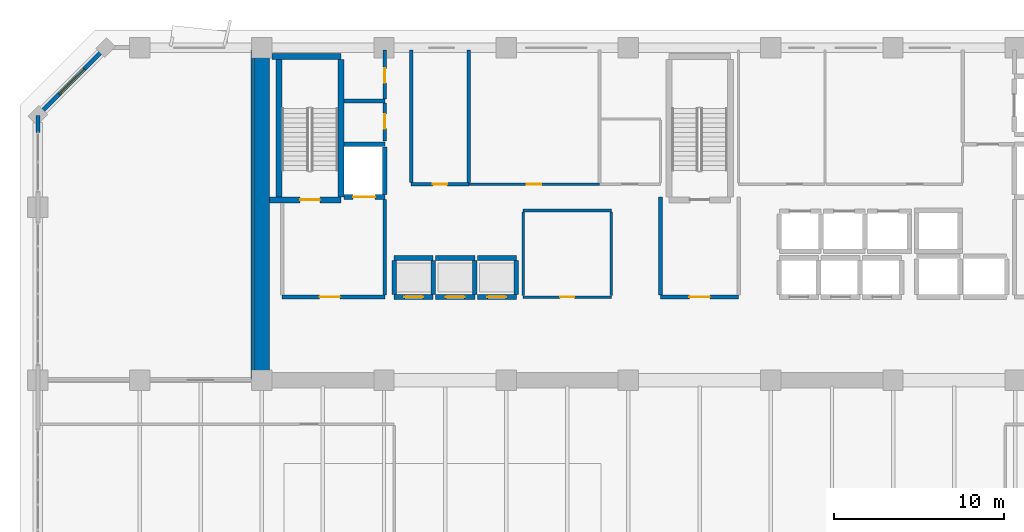
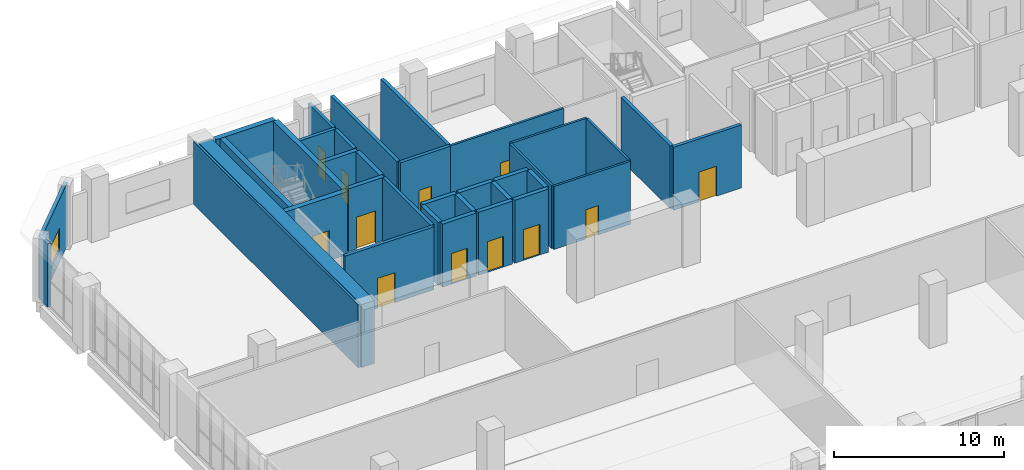
# One storey, part 30 of 37: 36 walls, 12 doors, 1 window, 13 openings.
"""IFC4 building model written with IfcOpenShell, lengths in metres."""

import ifcopenshell
import ifcopenshell.guid

model = None  # the IFC model being written
_history = None  # IfcOwnerHistory: only IFC2X3 demands one
_inside = {}  # id of a spatial element -> (the spatial element, [elements in it])
_under = {}  # id of a project, library or spatial element -> (it, [spatial elements below it])
_declared = {}  # id of a project -> (the project, [libraries it declares])
_typed = {}  # id of a type object -> (the type object, [elements of that type])
_made_of = {}  # id of a material, layer set ... -> (it, [elements and type objects made of it])


def new_model(schema):
    """Start an empty IFC model of exactly this schema.

    Asked for "IFC4X3", IfcOpenShell would pick the latest addendum, in which some entities
    have other attributes; the version numbers below select the first issue.
    IFC2X3 requires an IfcOwnerHistory on every rooted entity: one is made here for all.
    """
    global model, _history
    if schema == "IFC4X3":
        model = ifcopenshell.file(schema_version=(4, 3, 0, 0))
    else:
        model = ifcopenshell.file(schema=schema)
    _inside.clear()
    _under.clear()
    _declared.clear()
    _typed.clear()
    _made_of.clear()
    _history = None
    if model.schema == "IFC2X3":
        org = make("IfcOrganization", Name="unknown")
        user = make(
            "IfcPersonAndOrganization",
            ThePerson=make("IfcPerson", FamilyName="unknown"),
            TheOrganization=org,
        )
        app = make(
            "IfcApplication",
            ApplicationDeveloper=org,
            Version="unknown",
            ApplicationFullName="unknown",
            ApplicationIdentifier="unknown",
        )
        _history = make(
            "IfcOwnerHistory",
            OwningUser=user,
            OwningApplication=app,
            ChangeAction="ADDED",
            CreationDate=0,
        )
    return model


def make(cls, **values):
    """One entity of the class cls with the attributes given. An attribute that is None is left unset."""
    return model.create_entity(
        cls, **{name: value for name, value in values.items() if value is not None}
    )


def rooted(cls, **values):
    """An entity with a GlobalId (a new one), such as an element, a storey or a relation."""
    return make(cls, GlobalId=ifcopenshell.guid.new(), OwnerHistory=_history, **values)


def si_unit(unit_type, name, prefix=None):
    """IfcSIUnit, for example si_unit("LENGTHUNIT", "METRE", prefix="MILLI")."""
    return make("IfcSIUnit", UnitType=unit_type, Prefix=prefix, Name=name)


def assignment(units):
    """IfcUnitAssignment: the units of a project."""
    return None if units is None else make("IfcUnitAssignment", Units=units)


def point(xyz):
    """IfcCartesianPoint."""
    return None if xyz is None else make("IfcCartesianPoint", Coordinates=xyz)


def direction(xyz):
    """IfcDirection."""
    return None if xyz is None else make("IfcDirection", DirectionRatios=xyz)


def frame(location, z_axis=None, x_axis=None):
    """IfcAxis2Placement3D, a coordinate frame: its origin and axes. An axis left out is left unset."""
    return make(
        "IfcAxis2Placement3D",
        Location=point(location),
        Axis=direction(z_axis),
        RefDirection=direction(x_axis),
    )


def frame_2d(location, x_axis=None):
    """IfcAxis2Placement2D, a coordinate frame in the plane: its origin and x axis."""
    return make(
        "IfcAxis2Placement2D", Location=point(location), RefDirection=direction(x_axis)
    )


def origin():
    """The frame at (0, 0, 0) with its axes left unset."""
    return frame((0.0, 0.0, 0.0))


def place(relative_to, where):
    """IfcLocalPlacement: puts the frame where relative to a parent placement (None: the world)."""
    return make(
        "IfcLocalPlacement", PlacementRelTo=relative_to, RelativePlacement=where
    )


def context(
    kind, dimensions, precision=None, world=None, true_north=None, identifier=None
):
    """IfcGeometricRepresentationContext, for example the 3D "Model" context."""
    return make(
        "IfcGeometricRepresentationContext",
        ContextIdentifier=identifier,
        ContextType=kind,
        CoordinateSpaceDimension=dimensions,
        Precision=precision,
        WorldCoordinateSystem=world,
        TrueNorth=true_north,
    )


def subcontext(parent, identifier, kind, view, scale=None):
    """IfcGeometricRepresentationSubContext, for example "Body" below "Model"."""
    return make(
        "IfcGeometricRepresentationSubContext",
        ContextIdentifier=identifier,
        ContextType=kind,
        ParentContext=parent,
        TargetScale=scale,
        TargetView=view,
    )


def project(units=None, contexts=None):
    """IfcProject with its units and contexts."""
    return rooted(
        "IfcProject",
        Name="project",
        RepresentationContexts=contexts,
        UnitsInContext=assignment(units),
    )


def spatial(cls, under=None, at=None, **own):
    """A site, building, storey or space (cls), placed at a placement, below another one or the project."""
    s = rooted(cls, ObjectPlacement=at, **own)
    if under is not None:
        _under.setdefault(under.id(), (under, []))[1].append(s)
    return s


def profile(cls, at=None, kind="AREA", **sizes):
    """A parametric profile (cls). Its sizes go by their IFC names, for example OverallWidth=200.0."""
    return make(cls, ProfileType=kind, Position=at, **sizes)


def rectangle(**sizes):
    """IfcRectangleProfileDef."""
    return profile("IfcRectangleProfileDef", **sizes)


def extrude(swept, where, along, depth):
    """IfcExtrudedAreaSolid: the profile swept, set in the frame where, extruded along a direction by depth."""
    return make(
        "IfcExtrudedAreaSolid",
        SweptArea=swept,
        Position=where,
        ExtrudedDirection=direction(along),
        Depth=depth,
    )


def shape(context_of_items, identifier, shape_type, items):
    """IfcShapeRepresentation: the items that make up one representation, for example the "Body"."""
    return make(
        "IfcShapeRepresentation",
        ContextOfItems=context_of_items,
        RepresentationIdentifier=identifier,
        RepresentationType=shape_type,
        Items=items,
    )


def material(Name=None, Category=None):
    """IfcMaterial."""
    return make("IfcMaterial", Name=Name, Category=Category)


def layer(
    of_material, thickness, ventilated=None, Name=None, Category=None, Priority=None
):
    """IfcMaterialLayer: one layer of a wall or slab, of a material (None: an air gap)."""
    return make(
        "IfcMaterialLayer",
        Material=of_material,
        LayerThickness=thickness,
        IsVentilated=ventilated,
        Name=Name,
        Category=Category,
        Priority=Priority,
    )


def layer_set(layers, Name=None):
    """IfcMaterialLayerSet."""
    return make("IfcMaterialLayerSet", MaterialLayers=layers, LayerSetName=Name)


def made_of(thing, what):
    """Note that an element or type object is made of a material, layer set ...; save() writes the relation."""
    if what is not None:
        _made_of.setdefault(what.id(), (what, []))[1].append(thing)
    return thing


def type_object(cls, material=None, **own):
    """A type object (cls), such as IfcWallType, which elements share."""
    return made_of(rooted(cls, **own), material)


def element(
    cls,
    number,
    at=None,
    inside=None,
    cuts=None,
    type_object=None,
    material=None,
    context=None,
    identifier="Body",
    shape_type=None,
    held_by="IfcProductDefinitionShape",
    body=None,
    shapes=None,
    **own,
):
    """One element of the class cls, such as IfcWall. Its Tag is "e" and its number.

    at: its placement. inside: the storey or other place that contains it. cuts: it is an
    opening in that element (IfcRelVoidsElement). A single representation is given by context,
    identifier, shape_type and body (its items); several are given by shapes. held_by: the class
    of the entity that holds the representations. save() writes the other relations.
    """
    e = rooted(cls, Tag="e%d" % number, ObjectPlacement=at, **own)
    if body is not None:
        shapes = [shape(context, identifier, shape_type, body)]
    if shapes is not None:
        e.Representation = make(held_by, Representations=shapes)
    if inside is not None:
        _inside.setdefault(inside.id(), (inside, []))[1].append(e)
    if cuts is not None:
        rooted(
            "IfcRelVoidsElement", RelatingBuildingElement=cuts, RelatedOpeningElement=e
        )
    if type_object is not None:
        _typed.setdefault(type_object.id(), (type_object, []))[1].append(e)
    return made_of(e, material)


def fill(opening, filler):
    """IfcRelFillsElement: the door or window that sits in an opening."""
    return rooted(
        "IfcRelFillsElement",
        RelatingOpeningElement=opening,
        RelatedBuildingElement=filler,
    )


def aggregate(whole, parts):
    """IfcRelAggregates: a whole, such as a stair, and the parts it consists of."""
    return rooted("IfcRelAggregates", RelatingObject=whole, RelatedObjects=parts)


def save(model, path):
    """Write the relations noted so far, then the file.

    IfcRelAggregates (storeys below a building ...), IfcRelContainedInSpatialStructure (elements
    in a storey), IfcRelDefinesByType, IfcRelAssociatesMaterial and IfcRelDeclares: one each for
    every whole, place, type object, material and project.
    """
    for whole, parts in _under.values():
        aggregate(whole, parts)
    for where, things in _inside.values():
        rooted(
            "IfcRelContainedInSpatialStructure",
            RelatedElements=things,
            RelatingStructure=where,
        )
    for kind, things in _typed.values():
        rooted("IfcRelDefinesByType", RelatedObjects=things, RelatingType=kind)
    for what, things in _made_of.values():
        rooted("IfcRelAssociatesMaterial", RelatedObjects=things, RelatingMaterial=what)
    for by, libraries in _declared.values():
        rooted("IfcRelDeclares", RelatingContext=by, RelatedDefinitions=libraries)
    model.write(path)


model = new_model("IFC4")

# Units and contexts
model_context = context("Model", 3, precision=1e-05, world=origin(), true_north=direction((0.0, 1.0)))
body_context = subcontext(model_context, "Body", "Model", "MODEL_VIEW")
ifc_project = project(units=[si_unit("LENGTHUNIT", "METRE"), si_unit("AREAUNIT", "SQUARE_METRE"), si_unit("VOLUMEUNIT", "CUBIC_METRE"), si_unit("PLANEANGLEUNIT", "RADIAN"), si_unit("MASSUNIT", "GRAM", prefix="KILO")], contexts=[model_context])

# Site, building, storey
site_placement = place(None, origin())
site = spatial("IfcSite", under=ifc_project, at=site_placement, CompositionType="ELEMENT")
building_placement = place(site_placement, origin())
building = spatial("IfcBuilding", under=site, at=building_placement, Name="Kaelvorn Grand Hotel", CompositionType="ELEMENT")
storey_placement = place(building_placement, frame((0.0, 0.0, 224.35009765625)))
storey = spatial("IfcBuildingStorey", under=building, at=storey_placement, Name="L55", CompositionType="ELEMENT", Elevation=224.35009765625)

# Wall
ifc_material_1 = material(Name="Concrete C60/75", Category="concrete")
ifc_layer_1 = layer(ifc_material_1, 0.89990234375)
ifc_layer_set_1 = layer_set([ifc_layer_1], Name="Concrete C60/75")
wall_type_1 = type_object("IfcWallType", Name="WL-CORE-900-C60", PredefinedType="SHEAR", material=ifc_layer_set_1)
wall_1_placement = place(storey_placement, frame((16.199951171875, 29.39990234375, 0.0), z_axis=(0.0, 0.0, 1.0), x_axis=(0.0, 1.0, 0.0)))
element("IfcWall", 1, at=wall_1_placement, inside=storey, type_object=wall_type_1, Name="L55 Rear-Core West Shear Wall", PredefinedType="SHEAR", context=body_context, shape_type="SweptSolid", body=[
    extrude(rectangle(XDim=19.2001953125, YDim=0.89990234375, at=frame_2d((9.60009765625, 0.0))), origin(), (0.0, 0.0, 1.0), 4.52001953125),
])

# Wall, opening, window
ifc_material_2 = material(Name="Concrete C40/50", Category="concrete")
ifc_layer_2 = layer(ifc_material_2, 0.239990234375)
ifc_layer_set_2 = layer_set([ifc_layer_2], Name="Concrete C40/50")
wall_type_2 = type_object("IfcWallType", Name="WL-EXT-240-C40", PredefinedType="SOLIDWALL", material=ifc_layer_set_2)
wall_2_placement = place(storey_placement, frame((7.0, 49.0, 0.0), z_axis=(0.0, 0.0, 1.0), x_axis=(-0.707106781187, -0.707106781187, 0.0)))
wall_2 = element("IfcWall", 2, at=wall_2_placement, inside=storey, type_object=wall_type_2, Name="L55 Exterior Architectural Concrete Wall 06", PredefinedType="SOLIDWALL", context=body_context, shape_type="SweptSolid", body=[
    extrude(rectangle(XDim=5.65673828125, YDim=0.239990234375, at=frame_2d((2.828369140625, 0.0))), origin(), (0.0, 0.0, 1.0), 4.52001953125),
])
opening_1_placement = place(wall_2_placement, frame((1.7783203125, 0.0, 0.85009765625)))
opening_1 = element("IfcOpeningElement", 3, at=opening_1_placement, cuts=wall_2, Name="Opening W7", PredefinedType="OPENING", context=body_context, shape_type="SweptSolid", body=[
    extrude(rectangle(XDim=2.10009765625, YDim=1.60009765625, at=frame_2d((1.050048828125, 0.800048828125))), frame((0.0, 0.1298828125, 0.0), z_axis=(0.0, -1.0, 0.0), x_axis=(1.0, 0.0, 0.0)), (0.0, 0.0, 1.0), 0.260009765625),
])
ifc_material_3 = material(Name="Laminated Low-E Glass", Category="glass")
window_type = type_object("IfcWindowType", Name="WIN-CHM-2100x1600", PartitioningType="SINGLE_PANEL", PredefinedType="WINDOW", material=ifc_material_3)
window_placement = place(opening_1_placement, origin())
window = element("IfcWindow", 4, at=window_placement, inside=storey, type_object=window_type, Name="L55 Chamfered 45-Degree Corner Window NW", OverallHeight=1.60009765625, OverallWidth=2.10009765625, PartitioningType="SINGLE_PANEL", PredefinedType="WINDOW", context=body_context, shape_type="SweptSolid", body=[
    extrude(rectangle(XDim=2.10009765625, YDim=1.60009765625, at=frame_2d((1.050048828125, 0.800048828125))), frame((0.0, 0.030029296875, 0.0), z_axis=(0.0, -1.0, 0.0), x_axis=(1.0, 0.0, 0.0)), (0.0, 0.0, 1.0), 0.06005859375),
])
fill(opening_1, window)

# Wall
wall_3_placement = place(storey_placement, frame((3.0, 45.0, 0.0), z_axis=(0.0, 0.0, 1.0), x_axis=(0.0, -1.0, 0.0)))
element("IfcWall", 5, at=wall_3_placement, inside=storey, type_object=wall_type_2, Name="L55 Exterior Architectural Concrete Wall 07 Pier 1", PredefinedType="SOLIDWALL", context=body_context, shape_type="SweptSolid", body=[
    extrude(rectangle(XDim=1.0048828125, YDim=0.239990234375, at=frame_2d((0.50244140625, 0.0))), origin(), (0.0, 0.0, 1.0), 4.52001953125),
])

# Wall, opening, door
ifc_material_4 = material(Name="Acoustic Gypsum & Stud Partition")
ifc_layer_3 = layer(ifc_material_4, 0.14990234375)
ifc_layer_set_3 = layer_set([ifc_layer_3], Name="Acoustic Gypsum & Stud Partition")
wall_type_3 = type_object("IfcWallType", Name="WL-PART-150-EI60", PredefinedType="PARTITIONING", material=ifc_layer_set_3)
wall_4_placement = place(storey_placement, frame((31.60009765625, 34.300048828125, 0.0), z_axis=(0.0, 0.0, 1.0), x_axis=(1.0, 0.0, 0.0)))
wall_4 = element("IfcWall", 6, at=wall_4_placement, inside=storey, type_object=wall_type_3, Name="L55 Core Telecoms & BMS Server Room S Partition", PredefinedType="PARTITIONING", context=body_context, shape_type="SweptSolid", body=[
    extrude(rectangle(XDim=5.199951171875, YDim=0.14990234375, at=frame_2d((2.60009765625, 0.0))), origin(), (0.0, 0.0, 1.0), 4.52001953125),
])
opening_2_placement = place(wall_4_placement, frame((2.175048828125, 0.0, 0.0)))
opening_2 = element("IfcOpeningElement", 7, at=opening_2_placement, cuts=wall_4, Name="Opening DI7", PredefinedType="OPENING", context=body_context, shape_type="SweptSolid", body=[
    extrude(rectangle(XDim=0.85009765625, YDim=2.10009765625, at=frame_2d((0.425048828125, 1.050048828125))), frame((0.0, 0.0849609375, 0.0), z_axis=(0.0, -1.0, 0.0), x_axis=(1.0, 0.0, 0.0)), (0.0, 0.0, 1.0), 0.169921875),
])
ifc_material_5 = material(Name="Powder-Coated Steel Leaf", Category="steel")
door_type_1 = type_object("IfcDoorType", Name="DR-INT-RISER-850x2100", OperationType="NOTDEFINED", PredefinedType="DOOR", material=ifc_material_5)
door_1_placement = place(opening_2_placement, origin())
door_1 = element("IfcDoor", 8, at=door_1_placement, inside=storey, type_object=door_type_1, Name="L55 Core Telecoms & BMS Server Room Door", OperationType="SINGLE_SWING_LEFT", OverallHeight=2.10009765625, OverallWidth=0.85009765625, PredefinedType="DOOR", context=body_context, shape_type="SweptSolid", body=[
    extrude(rectangle(XDim=0.85009765625, YDim=2.10009765625, at=frame_2d((0.425048828125, 1.050048828125))), frame((0.0, 0.02490234375, 0.0), z_axis=(0.0, -1.0, 0.0), x_axis=(1.0, 0.0, 0.0)), (0.0, 0.0, 1.0), 0.050048828125),
])
fill(opening_2, door_1)

# Walls
wall_5_placement = place(storey_placement, frame((31.60009765625, 39.39990234375, 0.0), z_axis=(0.0, 0.0, 1.0), x_axis=(1.0, 0.0, 0.0)))
element("IfcWall", 9, at=wall_5_placement, inside=storey, type_object=wall_type_3, Name="L55 Core Telecoms & BMS Server Room N Partition", PredefinedType="PARTITIONING", context=body_context, shape_type="SweptSolid", body=[
    extrude(rectangle(XDim=5.199951171875, YDim=0.14990234375, at=frame_2d((2.60009765625, 0.0))), origin(), (0.0, 0.0, 1.0), 4.52001953125),
])
for number, where, z_axis, x_axis, name in (
    (10, (31.60009765625, 34.3798828125, 0.0), (0.0, 0.0, 1.0), (0.0, 1.0, 0.0), "L55 Core Telecoms & BMS Server Room W Partition"),
    (11, (36.800048828125, 34.3798828125, 0.0), (0.0, 0.0, 1.0), (0.0, 1.0, 0.0), "L55 Core Telecoms & BMS Server Room E Partition"),
):
    element("IfcWall", number, at=place(storey_placement, frame(where, z_axis=z_axis, x_axis=x_axis)), inside=storey, type_object=wall_type_3, Name=name, PredefinedType="PARTITIONING", context=body_context, shape_type="SweptSolid", body=[
        extrude(rectangle(XDim=4.940185546875, YDim=0.14990234375, at=frame_2d((2.47021484375, 0.0))), origin(), (0.0, 0.0, 1.0), 4.52001953125),
    ])

# Wall, opening, door
wall_6_placement = place(storey_placement, frame((28.409912109375, 40.949951171875, 0.0), z_axis=(0.0, 0.0, 1.0), x_axis=(1.0, 0.0, 0.0)))
wall_6 = element("IfcWall", 12, at=wall_6_placement, inside=storey, type_object=wall_type_3, Name="L55 Central BOH Supply Store S Partition", PredefinedType="PARTITIONING", context=body_context, shape_type="SweptSolid", body=[
    extrude(rectangle(XDim=7.690185546875, YDim=0.14990234375, at=frame_2d((3.84521484375, 0.0))), origin(), (0.0, 0.0, 1.0), 4.52001953125),
])
opening_3_placement = place(wall_6_placement, frame((3.4150390625, 0.0, 0.0)))
opening_3 = element("IfcOpeningElement", 13, at=opening_3_placement, cuts=wall_6, Name="Opening DI7", PredefinedType="OPENING", context=body_context, shape_type="SweptSolid", body=[
    extrude(rectangle(XDim=0.85009765625, YDim=2.10009765625, at=frame_2d((0.425048828125, 1.050048828125))), frame((0.0, 0.0849609375, 0.0), z_axis=(0.0, -1.0, 0.0), x_axis=(1.0, 0.0, 0.0)), (0.0, 0.0, 1.0), 0.169921875),
])
door_2_placement = place(opening_3_placement, origin())
door_2 = element("IfcDoor", 14, at=door_2_placement, inside=storey, type_object=door_type_1, Name="L55 Central BOH Supply Store Door", OperationType="SINGLE_SWING_LEFT", OverallHeight=2.10009765625, OverallWidth=0.85009765625, PredefinedType="DOOR", context=body_context, shape_type="SweptSolid", body=[
    extrude(rectangle(XDim=0.85009765625, YDim=2.10009765625, at=frame_2d((0.425048828125, 1.050048828125))), frame((0.0, 0.02490234375, 0.0), z_axis=(0.0, -1.0, 0.0), x_axis=(1.0, 0.0, 0.0)), (0.0, 0.0, 1.0), 0.050048828125),
])
fill(opening_3, door_2)

# Wall
wall_7_placement = place(storey_placement, frame((15.64990234375, 29.47998046875, 0.0), z_axis=(0.0, 0.0, 1.0), x_axis=(0.0, 1.0, 0.0)))
element("IfcWall", 15, at=wall_7_placement, inside=storey, type_object=wall_type_3, Name="L55 Club Business Library E Partition", PredefinedType="PARTITIONING", context=body_context, shape_type="SweptSolid", body=[
    extrude(rectangle(XDim=19.3701171875, YDim=0.14990234375, at=frame_2d((9.68505859375, 0.0))), origin(), (0.0, 0.0, 1.0), 4.52001953125),
])

# Wall, opening, door
ifc_layer_4 = layer(ifc_material_2, 0.219970703125)
ifc_layer_set_4 = layer_set([ifc_layer_4], Name="Concrete C40/50")
wall_type_4 = type_object("IfcWallType", Name="WL-PART-220-EI120", PredefinedType="PARTITIONING", material=ifc_layer_set_4)
wall_8_placement = place(storey_placement, frame((17.39990234375, 34.300048828125, 0.0), z_axis=(0.0, 0.0, 1.0), x_axis=(1.0, 0.0, 0.0)))
wall_8 = element("IfcWall", 16, at=wall_8_placement, inside=storey, type_object=wall_type_4, Name="L55 Firefighting Lift Lobby 1 S Partition", PredefinedType="PARTITIONING", context=body_context, shape_type="SweptSolid", body=[
    extrude(rectangle(XDim=6.050048828125, YDim=0.219970703125, at=frame_2d((3.02490234375, 0.0))), origin(), (0.0, 0.0, 1.0), 4.52001953125),
])
opening_4_placement = place(wall_8_placement, frame((2.199951171875, 0.0, 0.0)))
opening_4 = element("IfcOpeningElement", 17, at=opening_4_placement, cuts=wall_8, Name="Opening DI2", PredefinedType="OPENING", context=body_context, shape_type="SweptSolid", body=[
    extrude(rectangle(XDim=1.199951171875, YDim=2.14990234375, at=frame_2d((0.60009765625, 1.074951171875))), frame((0.0, 0.1201171875, 0.0), z_axis=(0.0, -1.0, 0.0), x_axis=(1.0, 0.0, 0.0)), (0.0, 0.0, 1.0), 0.239990234375),
])
ifc_material_6 = material(Name="Timber Veneer Fire Leaf", Category="wood")
door_type_2 = type_object("IfcDoorType", Name="DR-INT-FFLOB-1200x2150", OperationType="NOTDEFINED", PredefinedType="DOOR", material=ifc_material_6)
door_3_placement = place(opening_4_placement, origin())
door_3 = element("IfcDoor", 18, at=door_3_placement, inside=storey, type_object=door_type_2, Name="L55 Firefighting Lift Lobby 1 Door", OperationType="SINGLE_SWING_LEFT", OverallHeight=2.14990234375, OverallWidth=1.199951171875, PredefinedType="DOOR", context=body_context, shape_type="SweptSolid", body=[
    extrude(rectangle(XDim=1.199951171875, YDim=2.14990234375, at=frame_2d((0.60009765625, 1.074951171875))), frame((0.0, 0.02490234375, 0.0), z_axis=(0.0, -1.0, 0.0), x_axis=(1.0, 0.0, 0.0)), (0.0, 0.0, 1.0), 0.050048828125),
])
fill(opening_4, door_3)

# Wall
wall_9_placement = place(storey_placement, frame((23.449951171875, 34.4150390625, 0.0), z_axis=(0.0, 0.0, 1.0), x_axis=(0.0, 1.0, 0.0)))
element("IfcWall", 19, at=wall_9_placement, inside=storey, type_object=wall_type_4, Name="L55 Firefighting Lift Lobby 1 E Partition", PredefinedType="PARTITIONING", context=body_context, shape_type="SweptSolid", body=[
    extrude(rectangle(XDim=5.639892578125, YDim=0.219970703125, at=frame_2d((2.81982421875, 0.0))), origin(), (0.0, 0.0, 1.0), 4.52001953125),
])

# Wall, opening, door
wall_10_placement = place(storey_placement, frame((39.699951171875, 34.300048828125, 0.0), z_axis=(0.0, 0.0, 1.0), x_axis=(1.0, 0.0, 0.0)))
wall_10 = element("IfcWall", 20, at=wall_10_placement, inside=storey, type_object=wall_type_4, Name="L55 Central Stair Escape Vestibule S Partition", PredefinedType="PARTITIONING", context=body_context, shape_type="SweptSolid", body=[
    extrude(rectangle(XDim=4.60009765625, YDim=0.219970703125, at=frame_2d((2.300048828125, 0.0))), origin(), (0.0, 0.0, 1.0), 4.52001953125),
])
opening_5_placement = place(wall_10_placement, frame((1.699951171875, 0.0, 0.0)))
opening_5 = element("IfcOpeningElement", 21, at=opening_5_placement, cuts=wall_10, Name="Opening DI2", PredefinedType="OPENING", context=body_context, shape_type="SweptSolid", body=[
    extrude(rectangle(XDim=1.199951171875, YDim=2.14990234375, at=frame_2d((0.60009765625, 1.074951171875))), frame((0.0, 0.1201171875, 0.0), z_axis=(0.0, -1.0, 0.0), x_axis=(1.0, 0.0, 0.0)), (0.0, 0.0, 1.0), 0.239990234375),
])
door_4_placement = place(opening_5_placement, origin())
door_4 = element("IfcDoor", 22, at=door_4_placement, inside=storey, type_object=door_type_2, Name="L55 Central Stair Escape Vestibule Door", OperationType="SINGLE_SWING_LEFT", OverallHeight=2.14990234375, OverallWidth=1.199951171875, PredefinedType="DOOR", context=body_context, shape_type="SweptSolid", body=[
    extrude(rectangle(XDim=1.199951171875, YDim=2.14990234375, at=frame_2d((0.60009765625, 1.074951171875))), frame((0.0, 0.02490234375, 0.0), z_axis=(0.0, -1.0, 0.0), x_axis=(1.0, 0.0, 0.0)), (0.0, 0.0, 1.0), 0.050048828125),
])
fill(opening_5, door_4)

# Walls
wall_11_placement = place(storey_placement, frame((39.699951171875, 34.4150390625, 0.0), z_axis=(0.0, 0.0, 1.0), x_axis=(0.0, 1.0, 0.0)))
element("IfcWall", 23, at=wall_11_placement, inside=storey, type_object=wall_type_4, Name="L55 Central Stair Escape Vestibule W Partition", PredefinedType="PARTITIONING", context=body_context, shape_type="SweptSolid", body=[
    extrude(rectangle(XDim=5.784912109375, YDim=0.219970703125, at=frame_2d((2.892578125, 0.0))), origin(), (0.0, 0.0, 1.0), 4.52001953125),
])
wall_12_placement = place(storey_placement, frame((21.034912109375, 45.85009765625, 0.0), z_axis=(0.0, 0.0, 1.0), x_axis=(1.0, 0.0, 0.0)))
element("IfcWall", 24, at=wall_12_placement, inside=storey, type_object=wall_type_4, Name="L55 Wet Fire & Plumbing Riser Shaft N Partition", PredefinedType="PARTITIONING", context=body_context, shape_type="SweptSolid", body=[
    extrude(rectangle(XDim=2.4150390625, YDim=0.219970703125, at=frame_2d((1.20751953125, 0.0))), origin(), (0.0, 0.0, 1.0), 4.52001953125),
])

# Wall, opening, door
wall_13_placement = place(storey_placement, frame((23.449951171875, 43.5, 0.0), z_axis=(0.0, 0.0, 1.0), x_axis=(0.0, 1.0, 0.0)))
wall_13 = element("IfcWall", 25, at=wall_13_placement, inside=storey, type_object=wall_type_4, Name="L55 Wet Fire & Plumbing Riser Shaft E Partition", PredefinedType="PARTITIONING", context=body_context, shape_type="SweptSolid", body=[
    extrude(rectangle(XDim=2.235107421875, YDim=0.219970703125, at=frame_2d((1.11767578125, 0.0))), origin(), (0.0, 0.0, 1.0), 4.52001953125),
])
opening_6_placement = place(wall_13_placement, frame((0.72509765625, 0.0, 0.0)))
opening_6 = element("IfcOpeningElement", 26, at=opening_6_placement, cuts=wall_13, Name="Opening DI7", PredefinedType="OPENING", context=body_context, shape_type="SweptSolid", body=[
    extrude(rectangle(XDim=0.85009765625, YDim=2.10009765625, at=frame_2d((0.425048828125, 1.050048828125))), frame((0.0, 0.1201171875, 0.0), z_axis=(0.0, -1.0, 0.0), x_axis=(1.0, 0.0, 0.0)), (0.0, 0.0, 1.0), 0.239990234375),
])
door_5_placement = place(opening_6_placement, origin())
door_5 = element("IfcDoor", 27, at=door_5_placement, inside=storey, type_object=door_type_1, Name="L55 Wet Fire & Plumbing Riser Shaft Door", OperationType="SINGLE_SWING_LEFT", OverallHeight=2.10009765625, OverallWidth=0.85009765625, PredefinedType="DOOR", context=body_context, shape_type="SweptSolid", body=[
    extrude(rectangle(XDim=0.85009765625, YDim=2.10009765625, at=frame_2d((0.425048828125, 1.050048828125))), frame((0.0, 0.02490234375, 0.0), z_axis=(0.0, -1.0, 0.0), x_axis=(1.0, 0.0, 0.0)), (0.0, 0.0, 1.0), 0.050048828125),
])
fill(opening_6, door_5)

wall_14_placement = place(storey_placement, frame((23.449951171875, 45.965087890625, 0.0), z_axis=(0.0, 0.0, 1.0), x_axis=(0.0, 1.0, 0.0)))
wall_14 = element("IfcWall", 28, at=wall_14_placement, inside=storey, type_object=wall_type_4, Name="L55 HV Electrical & Smoke Riser E Partition", PredefinedType="PARTITIONING", context=body_context, shape_type="SweptSolid", body=[
    extrude(rectangle(XDim=2.885009765625, YDim=0.219970703125, at=frame_2d((1.4423828125, 0.0))), origin(), (0.0, 0.0, 1.0), 4.52001953125),
])
opening_7_placement = place(wall_14_placement, frame((0.9599609375, 0.0, 0.0)))
opening_7 = element("IfcOpeningElement", 29, at=opening_7_placement, cuts=wall_14, Name="Opening DI7", PredefinedType="OPENING", context=body_context, shape_type="SweptSolid", body=[
    extrude(rectangle(XDim=0.85009765625, YDim=2.10009765625, at=frame_2d((0.425048828125, 1.050048828125))), frame((0.0, 0.1201171875, 0.0), z_axis=(0.0, -1.0, 0.0), x_axis=(1.0, 0.0, 0.0)), (0.0, 0.0, 1.0), 0.239990234375),
])
door_6_placement = place(opening_7_placement, origin())
door_6 = element("IfcDoor", 30, at=door_6_placement, inside=storey, type_object=door_type_1, Name="L55 HV Electrical & Smoke Riser Door", OperationType="SINGLE_SWING_RIGHT", OverallHeight=2.10009765625, OverallWidth=0.85009765625, PredefinedType="DOOR", context=body_context, shape_type="SweptSolid", body=[
    extrude(rectangle(XDim=0.85009765625, YDim=2.10009765625, at=frame_2d((0.425048828125, 1.050048828125))), frame((0.0, 0.02490234375, 0.0), z_axis=(0.0, -1.0, 0.0), x_axis=(1.0, 0.0, 0.0)), (0.0, 0.0, 1.0), 0.050048828125),
])
fill(opening_7, door_6)

wall_15_placement = place(storey_placement, frame((25.0, 40.949951171875, 0.0), z_axis=(0.0, 0.0, 1.0), x_axis=(1.0, 0.0, 0.0)))
wall_15 = element("IfcWall", 31, at=wall_15_placement, inside=storey, type_object=wall_type_4, Name="L55 Electrical Distribution Room S Partition", PredefinedType="PARTITIONING", context=body_context, shape_type="SweptSolid", body=[
    extrude(rectangle(XDim=3.39990234375, YDim=0.219970703125, at=frame_2d((1.699951171875, 0.0))), origin(), (0.0, 0.0, 1.0), 4.52001953125),
])
opening_8_placement = place(wall_15_placement, frame((1.27490234375, 0.0, 0.0)))
opening_8 = element("IfcOpeningElement", 32, at=opening_8_placement, cuts=wall_15, Name="Opening DI7", PredefinedType="OPENING", context=body_context, shape_type="SweptSolid", body=[
    extrude(rectangle(XDim=0.85009765625, YDim=2.10009765625, at=frame_2d((0.425048828125, 1.050048828125))), frame((0.0, 0.1201171875, 0.0), z_axis=(0.0, -1.0, 0.0), x_axis=(1.0, 0.0, 0.0)), (0.0, 0.0, 1.0), 0.239990234375),
])
door_7_placement = place(opening_8_placement, origin())
door_7 = element("IfcDoor", 33, at=door_7_placement, inside=storey, type_object=door_type_1, Name="L55 Electrical Distribution Room Door", OperationType="SINGLE_SWING_RIGHT", OverallHeight=2.10009765625, OverallWidth=0.85009765625, PredefinedType="DOOR", context=body_context, shape_type="SweptSolid", body=[
    extrude(rectangle(XDim=0.85009765625, YDim=2.10009765625, at=frame_2d((0.425048828125, 1.050048828125))), frame((0.0, 0.02490234375, 0.0), z_axis=(0.0, -1.0, 0.0), x_axis=(1.0, 0.0, 0.0)), (0.0, 0.0, 1.0), 0.050048828125),
])
fill(opening_8, door_7)

# Walls
for number, where, z_axis, x_axis, name in (
    (34, (25.0, 41.06494140625, 0.0), (0.0, 0.0, 1.0), (0.0, 1.0, 0.0), "L55 Electrical Distribution Room W Partition"),
    (35, (28.39990234375, 41.06494140625, 0.0), (0.0, 0.0, 1.0), (0.0, 1.0, 0.0), "L55 Electrical Distribution Room E Partition"),
):
    element("IfcWall", number, at=place(storey_placement, frame(where, z_axis=z_axis, x_axis=x_axis)), inside=storey, type_object=wall_type_4, Name=name, PredefinedType="PARTITIONING", context=body_context, shape_type="SweptSolid", body=[
        extrude(rectangle(XDim=7.78515625, YDim=0.219970703125, at=frame_2d((3.892578125, 0.0))), origin(), (0.0, 0.0, 1.0), 4.52001953125),
    ])

# Wall, opening, door
ifc_material_7 = material(Name="Concrete C50/60", Category="concrete")
ifc_layer_5 = layer(ifc_material_7, 0.280029296875)
ifc_layer_set_5 = layer_set([ifc_layer_5], Name="Concrete C50/60")
wall_type_5 = type_object("IfcWallType", Name="WL-SHAFT-280-C50", PredefinedType="SHEAR", material=ifc_layer_set_5)
wall_16_placement = place(storey_placement, frame((24.0, 34.300048828125, 0.0), z_axis=(0.0, 0.0, 1.0), x_axis=(1.0, 0.0, 0.0)))
wall_16 = element("IfcWall", 36, at=wall_16_placement, inside=storey, type_object=wall_type_5, Name="L55 Lift PL-H1 Shaft South Wall", PredefinedType="SHEAR", context=body_context, shape_type="SweptSolid", body=[
    extrude(rectangle(XDim=2.300048828125, YDim=0.280029296875, at=frame_2d((1.14990234375, 0.0))), origin(), (0.0, 0.0, 1.0), 4.52001953125),
])
opening_9_placement = place(wall_16_placement, frame((0.60009765625, 0.0, 0.0)))
opening_9 = element("IfcOpeningElement", 37, at=opening_9_placement, cuts=wall_16, Name="Opening LD-PL-H1", PredefinedType="OPENING", context=body_context, shape_type="SweptSolid", body=[
    extrude(rectangle(XDim=1.10009765625, YDim=2.199951171875, at=frame_2d((0.550048828125, 1.10009765625))), frame((0.0, 0.14990234375, 0.0), z_axis=(0.0, -1.0, 0.0), x_axis=(1.0, 0.0, 0.0)), (0.0, 0.0, 1.0), 0.300048828125),
])
ifc_material_8 = material(Name="Stainless Steel", Category="steel")
door_type_3 = type_object("IfcDoorType", Name="DR-LIFT-PASS-1100x2200", OperationType="DOUBLE_DOOR_SLIDING", PredefinedType="DOOR", material=ifc_material_8)
door_8_placement = place(opening_9_placement, origin())
door_8 = element("IfcDoor", 38, at=door_8_placement, inside=storey, type_object=door_type_3, Name="L55 Lift PL-H1 Sliding Landing Door LD-PL-H1", OperationType="DOUBLE_DOOR_SLIDING", OverallHeight=2.199951171875, OverallWidth=1.10009765625, PredefinedType="DOOR", context=body_context, shape_type="SweptSolid", body=[
    extrude(rectangle(XDim=1.10009765625, YDim=2.199951171875, at=frame_2d((0.550048828125, 1.10009765625))), frame((0.0, 0.02490234375, 0.0), z_axis=(0.0, -1.0, 0.0), x_axis=(1.0, 0.0, 0.0)), (0.0, 0.0, 1.0), 0.050048828125),
])
fill(opening_9, door_8)

# Walls
wall_17_placement = place(storey_placement, frame((24.0, 36.60009765625, 0.0), z_axis=(0.0, 0.0, 1.0), x_axis=(1.0, 0.0, 0.0)))
element("IfcWall", 39, at=wall_17_placement, inside=storey, type_object=wall_type_5, Name="L55 Lift PL-H1 Shaft North Wall", PredefinedType="SHEAR", context=body_context, shape_type="SweptSolid", body=[
    extrude(rectangle(XDim=2.300048828125, YDim=0.280029296875, at=frame_2d((1.14990234375, 0.0))), origin(), (0.0, 0.0, 1.0), 4.52001953125),
])
for number, where, z_axis, x_axis, name in (
    (40, (24.0, 34.445068359375, 0.0), (0.0, 0.0, 1.0), (0.0, 1.0, 0.0), "L55 Lift PL-H1 Shaft West Wall"),
    (41, (26.300048828125, 34.445068359375, 0.0), (0.0, 0.0, 1.0), (0.0, 1.0, 0.0), "L55 Lift PL-H1 Shaft East Wall"),
):
    element("IfcWall", number, at=place(storey_placement, frame(where, z_axis=z_axis, x_axis=x_axis)), inside=storey, type_object=wall_type_5, Name=name, PredefinedType="SHEAR", context=body_context, shape_type="SweptSolid", body=[
        extrude(rectangle(XDim=2.010009765625, YDim=0.280029296875, at=frame_2d((1.0048828125, 0.0))), origin(), (0.0, 0.0, 1.0), 4.52001953125),
    ])

# Wall, opening, door
wall_18_placement = place(storey_placement, frame((26.449951171875, 34.300048828125, 0.0), z_axis=(0.0, 0.0, 1.0), x_axis=(1.0, 0.0, 0.0)))
wall_18 = element("IfcWall", 42, at=wall_18_placement, inside=storey, type_object=wall_type_5, Name="L55 Lift PL-H2 Shaft South Wall", PredefinedType="SHEAR", context=body_context, shape_type="SweptSolid", body=[
    extrude(rectangle(XDim=2.300048828125, YDim=0.280029296875, at=frame_2d((1.14990234375, 0.0))), origin(), (0.0, 0.0, 1.0), 4.52001953125),
])
opening_10_placement = place(wall_18_placement, frame((0.60009765625, 0.0, 0.0)))
opening_10 = element("IfcOpeningElement", 43, at=opening_10_placement, cuts=wall_18, Name="Opening LD-PL-H2", PredefinedType="OPENING", context=body_context, shape_type="SweptSolid", body=[
    extrude(rectangle(XDim=1.10009765625, YDim=2.199951171875, at=frame_2d((0.550048828125, 1.10009765625))), frame((0.0, 0.14990234375, 0.0), z_axis=(0.0, -1.0, 0.0), x_axis=(1.0, 0.0, 0.0)), (0.0, 0.0, 1.0), 0.300048828125),
])
door_9_placement = place(opening_10_placement, origin())
door_9 = element("IfcDoor", 44, at=door_9_placement, inside=storey, type_object=door_type_3, Name="L55 Lift PL-H2 Sliding Landing Door LD-PL-H2", OperationType="DOUBLE_DOOR_SLIDING", OverallHeight=2.199951171875, OverallWidth=1.10009765625, PredefinedType="DOOR", context=body_context, shape_type="SweptSolid", body=[
    extrude(rectangle(XDim=1.10009765625, YDim=2.199951171875, at=frame_2d((0.550048828125, 1.10009765625))), frame((0.0, 0.02490234375, 0.0), z_axis=(0.0, -1.0, 0.0), x_axis=(1.0, 0.0, 0.0)), (0.0, 0.0, 1.0), 0.050048828125),
])
fill(opening_10, door_9)

# Walls
wall_19_placement = place(storey_placement, frame((26.449951171875, 36.60009765625, 0.0), z_axis=(0.0, 0.0, 1.0), x_axis=(1.0, 0.0, 0.0)))
element("IfcWall", 45, at=wall_19_placement, inside=storey, type_object=wall_type_5, Name="L55 Lift PL-H2 Shaft North Wall", PredefinedType="SHEAR", context=body_context, shape_type="SweptSolid", body=[
    extrude(rectangle(XDim=2.300048828125, YDim=0.280029296875, at=frame_2d((1.14990234375, 0.0))), origin(), (0.0, 0.0, 1.0), 4.52001953125),
])
wall_20_placement = place(storey_placement, frame((28.75, 34.445068359375, 0.0), z_axis=(0.0, 0.0, 1.0), x_axis=(0.0, 1.0, 0.0)))
element("IfcWall", 46, at=wall_20_placement, inside=storey, type_object=wall_type_5, Name="L55 Lift PL-H2 Shaft East Wall", PredefinedType="SHEAR", context=body_context, shape_type="SweptSolid", body=[
    extrude(rectangle(XDim=2.010009765625, YDim=0.280029296875, at=frame_2d((1.0048828125, 0.0))), origin(), (0.0, 0.0, 1.0), 4.52001953125),
])

# Wall, opening, door
wall_21_placement = place(storey_placement, frame((28.89990234375, 34.300048828125, 0.0), z_axis=(0.0, 0.0, 1.0), x_axis=(1.0, 0.0, 0.0)))
wall_21 = element("IfcWall", 47, at=wall_21_placement, inside=storey, type_object=wall_type_5, Name="L55 Lift PL-H3 Shaft South Wall", PredefinedType="SHEAR", context=body_context, shape_type="SweptSolid", body=[
    extrude(rectangle(XDim=2.300048828125, YDim=0.280029296875, at=frame_2d((1.14990234375, 0.0))), origin(), (0.0, 0.0, 1.0), 4.52001953125),
])
opening_11_placement = place(wall_21_placement, frame((0.60009765625, 0.0, 0.0)))
opening_11 = element("IfcOpeningElement", 48, at=opening_11_placement, cuts=wall_21, Name="Opening LD-PL-H3", PredefinedType="OPENING", context=body_context, shape_type="SweptSolid", body=[
    extrude(rectangle(XDim=1.10009765625, YDim=2.199951171875, at=frame_2d((0.550048828125, 1.10009765625))), frame((0.0, 0.14990234375, 0.0), z_axis=(0.0, -1.0, 0.0), x_axis=(1.0, 0.0, 0.0)), (0.0, 0.0, 1.0), 0.300048828125),
])
door_10_placement = place(opening_11_placement, origin())
door_10 = element("IfcDoor", 49, at=door_10_placement, inside=storey, type_object=door_type_3, Name="L55 Lift PL-H3 Sliding Landing Door LD-PL-H3", OperationType="DOUBLE_DOOR_SLIDING", OverallHeight=2.199951171875, OverallWidth=1.10009765625, PredefinedType="DOOR", context=body_context, shape_type="SweptSolid", body=[
    extrude(rectangle(XDim=1.10009765625, YDim=2.199951171875, at=frame_2d((0.550048828125, 1.10009765625))), frame((0.0, 0.02490234375, 0.0), z_axis=(0.0, -1.0, 0.0), x_axis=(1.0, 0.0, 0.0)), (0.0, 0.0, 1.0), 0.050048828125),
])
fill(opening_11, door_10)

# Walls
wall_22_placement = place(storey_placement, frame((28.89990234375, 36.60009765625, 0.0), z_axis=(0.0, 0.0, 1.0), x_axis=(1.0, 0.0, 0.0)))
element("IfcWall", 50, at=wall_22_placement, inside=storey, type_object=wall_type_5, Name="L55 Lift PL-H3 Shaft North Wall", PredefinedType="SHEAR", context=body_context, shape_type="SweptSolid", body=[
    extrude(rectangle(XDim=2.300048828125, YDim=0.280029296875, at=frame_2d((1.14990234375, 0.0))), origin(), (0.0, 0.0, 1.0), 4.52001953125),
])
wall_23_placement = place(storey_placement, frame((31.199951171875, 34.445068359375, 0.0), z_axis=(0.0, 0.0, 1.0), x_axis=(0.0, 1.0, 0.0)))
element("IfcWall", 51, at=wall_23_placement, inside=storey, type_object=wall_type_5, Name="L55 Lift PL-H3 Shaft East Wall", PredefinedType="SHEAR", context=body_context, shape_type="SweptSolid", body=[
    extrude(rectangle(XDim=2.010009765625, YDim=0.280029296875, at=frame_2d((1.0048828125, 0.0))), origin(), (0.0, 0.0, 1.0), 4.52001953125),
])

# Wall, opening, door
wall_24_placement = place(storey_placement, frame((21.034912109375, 40.199951171875, 0.0), z_axis=(0.0, 0.0, 1.0), x_axis=(1.0, 0.0, 0.0)))
wall_24 = element("IfcWall", 52, at=wall_24_placement, inside=storey, type_object=wall_type_5, Name="L55 Lift FFL1 Shaft South Wall", PredefinedType="SHEAR", context=body_context, shape_type="SweptSolid", body=[
    extrude(rectangle(XDim=2.4150390625, YDim=0.280029296875, at=frame_2d((1.20751953125, 0.0))), origin(), (0.0, 0.0, 1.0), 4.52001953125),
])
opening_12_placement = place(wall_24_placement, frame((0.5400390625, 0.0, 0.0)))
opening_12 = element("IfcOpeningElement", 53, at=opening_12_placement, cuts=wall_24, Name="Opening LD-FFL1", PredefinedType="OPENING", context=body_context, shape_type="SweptSolid", body=[
    extrude(rectangle(XDim=1.300048828125, YDim=2.300048828125, at=frame_2d((0.64990234375, 1.14990234375))), frame((0.0, 0.14990234375, 0.0), z_axis=(0.0, -1.0, 0.0), x_axis=(1.0, 0.0, 0.0)), (0.0, 0.0, 1.0), 0.300048828125),
])
door_type_4 = type_object("IfcDoorType", Name="DR-LIFT-SERV-1300x2300", OperationType="DOUBLE_DOOR_SLIDING", PredefinedType="DOOR", material=ifc_material_8)
door_11_placement = place(opening_12_placement, origin())
door_11 = element("IfcDoor", 54, at=door_11_placement, inside=storey, type_object=door_type_4, Name="L55 Lift FFL1 Sliding Landing Door LD-FFL1", OperationType="DOUBLE_DOOR_SLIDING", OverallHeight=2.300048828125, OverallWidth=1.300048828125, PredefinedType="DOOR", context=body_context, shape_type="SweptSolid", body=[
    extrude(rectangle(XDim=1.300048828125, YDim=2.300048828125, at=frame_2d((0.64990234375, 1.14990234375))), frame((0.0, 0.02490234375, 0.0), z_axis=(0.0, -1.0, 0.0), x_axis=(1.0, 0.0, 0.0)), (0.0, 0.0, 1.0), 0.050048828125),
])
fill(opening_12, door_11)

# Walls
wall_25_placement = place(storey_placement, frame((21.034912109375, 43.300048828125, 0.0), z_axis=(0.0, 0.0, 1.0), x_axis=(1.0, 0.0, 0.0)))
element("IfcWall", 55, at=wall_25_placement, inside=storey, type_object=wall_type_5, Name="L55 Lift FFL1 Shaft North Wall", PredefinedType="SHEAR", context=body_context, shape_type="SweptSolid", body=[
    extrude(rectangle(XDim=2.4150390625, YDim=0.280029296875, at=frame_2d((1.20751953125, 0.0))), origin(), (0.0, 0.0, 1.0), 4.52001953125),
])
wall_26_placement = place(storey_placement, frame((23.449951171875, 40.344970703125, 0.0), z_axis=(0.0, 0.0, 1.0), x_axis=(0.0, 1.0, 0.0)))
element("IfcWall", 56, at=wall_26_placement, inside=storey, type_object=wall_type_5, Name="L55 Lift FFL1 Shaft East Wall", PredefinedType="SHEAR", context=body_context, shape_type="SweptSolid", body=[
    extrude(rectangle(XDim=2.81005859375, YDim=0.280029296875, at=frame_2d((1.405029296875, 0.0))), origin(), (0.0, 0.0, 1.0), 4.52001953125),
])

# Wall, opening, door
ifc_layer_6 = layer(ifc_material_1, 0.35009765625)
ifc_layer_set_6 = layer_set([ifc_layer_6], Name="Concrete C60/75")
wall_type_6 = type_object("IfcWallType", Name="WL-SHAFT-350-C60", PredefinedType="SHEAR", material=ifc_layer_set_6)
wall_27_placement = place(storey_placement, frame((16.655029296875, 40.02490234375, 0.0), z_axis=(0.0, 0.0, 1.0), x_axis=(1.0, 0.0, 0.0)))
wall_27 = element("IfcWall", 57, at=wall_27_placement, inside=storey, type_object=wall_type_6, Name="L55 ST1 Stair Shaft South Wall", PredefinedType="SHEAR", context=body_context, shape_type="SweptSolid", body=[
    extrude(rectangle(XDim=4.199951171875, YDim=0.35009765625, at=frame_2d((2.10009765625, 0.0))), origin(), (0.0, 0.0, 1.0), 4.52001953125),
])
opening_13_placement = place(wall_27_placement, frame((1.81005859375, 0.0, 0.0)))
opening_13 = element("IfcOpeningElement", 58, at=opening_13_placement, cuts=wall_27, Name="Opening DI1", PredefinedType="OPENING", context=body_context, shape_type="SweptSolid", body=[
    extrude(rectangle(XDim=1.14990234375, YDim=2.14990234375, at=frame_2d((0.574951171875, 1.074951171875))), frame((0.0, 0.18505859375, 0.0), z_axis=(0.0, -1.0, 0.0), x_axis=(1.0, 0.0, 0.0)), (0.0, 0.0, 1.0), 0.3701171875),
])
door_type_5 = type_object("IfcDoorType", Name="DR-INT-STAIR-1150x2150", OperationType="NOTDEFINED", PredefinedType="DOOR", material=ifc_material_6)
door_12_placement = place(opening_13_placement, origin())
door_12 = element("IfcDoor", 59, at=door_12_placement, inside=storey, type_object=door_type_5, Name="L55 ST1 Exit Stair Fire Door", OperationType="SINGLE_SWING_RIGHT", OverallHeight=2.14990234375, OverallWidth=1.14990234375, PredefinedType="DOOR", context=body_context, shape_type="SweptSolid", body=[
    extrude(rectangle(XDim=1.14990234375, YDim=2.14990234375, at=frame_2d((0.574951171875, 1.074951171875))), frame((0.0, 0.02490234375, 0.0), z_axis=(0.0, -1.0, 0.0), x_axis=(1.0, 0.0, 0.0)), (0.0, 0.0, 1.0), 0.050048828125),
])
fill(opening_13, door_12)

# Walls
wall_28_placement = place(storey_placement, frame((16.804931640625, 48.47509765625, 0.0), z_axis=(0.0, 0.0, 1.0), x_axis=(1.0, 0.0, 0.0)))
element("IfcWall", 60, at=wall_28_placement, inside=storey, type_object=wall_type_6, Name="L55 ST1 Stair Shaft North Wall", PredefinedType="SHEAR", context=body_context, shape_type="SweptSolid", body=[
    extrude(rectangle(XDim=4.050048828125, YDim=0.35009765625, at=frame_2d((2.02490234375, 0.0))), origin(), (0.0, 0.0, 1.0), 4.52001953125),
])
for number, where, z_axis, x_axis, name in (
    (61, (17.22509765625, 40.205078125, 0.0), (0.0, 0.0, 1.0), (0.0, 1.0, 0.0), "L55 ST1 Stair Shaft West Wall"),
    (62, (20.85498046875, 40.205078125, 0.0), (0.0, 0.0, 1.0), (0.0, 1.0, 0.0), "L55 ST1 Stair Shaft East Wall"),
):
    element("IfcWall", number, at=place(storey_placement, frame(where, z_axis=z_axis, x_axis=x_axis)), inside=storey, type_object=wall_type_6, Name=name, PredefinedType="SHEAR", context=body_context, shape_type="SweptSolid", body=[
        extrude(rectangle(XDim=8.08984375, YDim=0.35009765625, at=frame_2d((4.044921875, 0.0))), origin(), (0.0, 0.0, 1.0), 4.52001953125),
    ])

save(model, "model.ifc")
